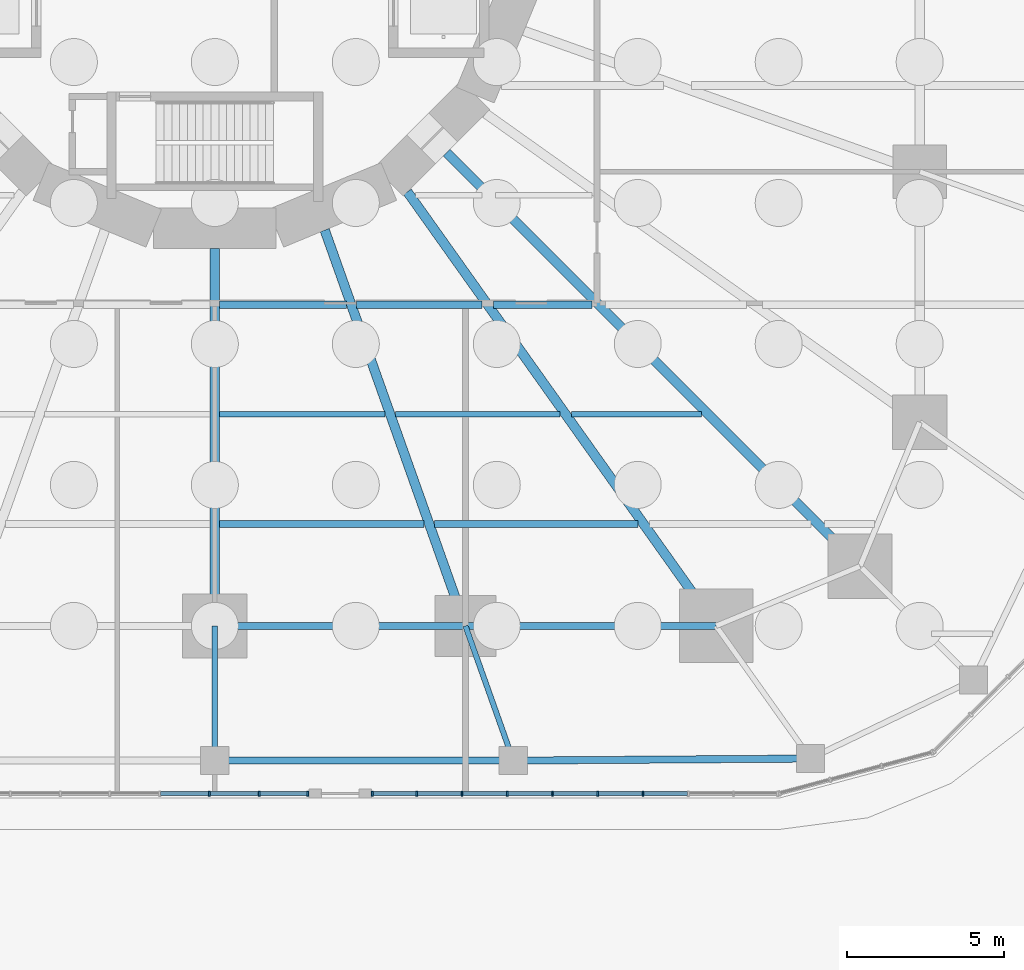
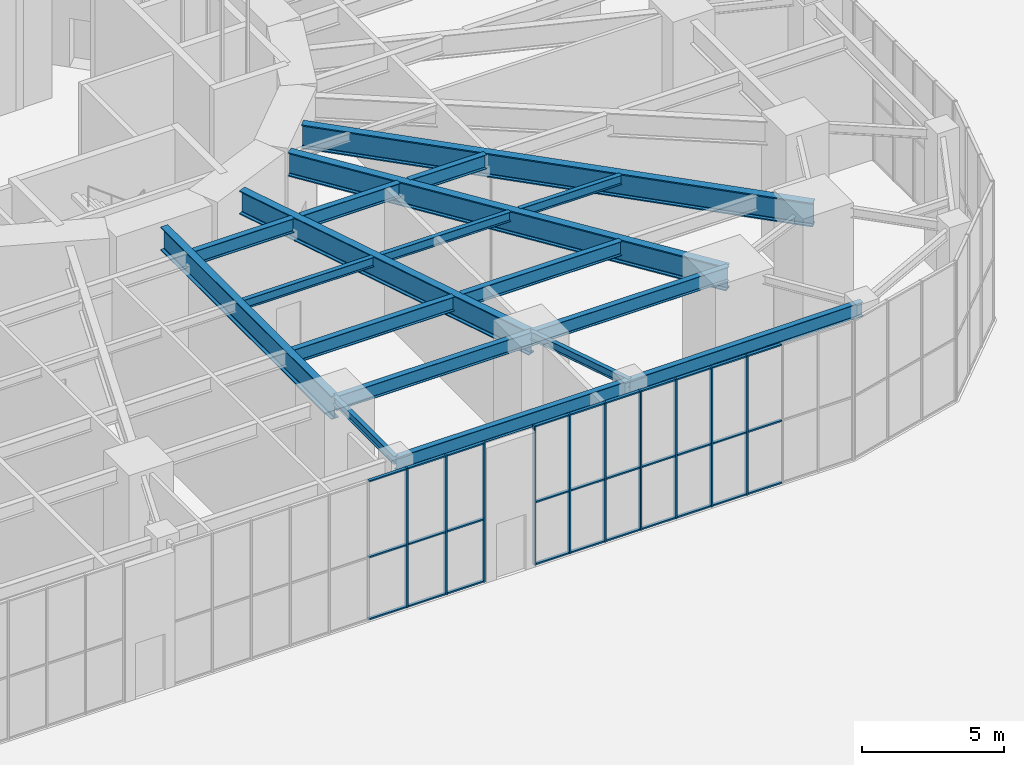
# One storey, part 8 of 43: 40 members, 18 beams, 2 elements without a shape of their own.
"""IFC4 building model written with IfcOpenShell, lengths in metres."""

from ifc_helpers import new_model, si_unit, direction, frame, origin, origin_2d, place, context, subcontext, project, spatial, rectangle, i_section, extrude, material, material_profile, profile_set, type_object, element, aggregate, save


model = new_model("IFC4")

# Units and contexts
model_context = context("Model", 3, precision=1e-05, world=origin(), true_north=direction((0.0, 1.0)))
body_context = subcontext(model_context, "Body", "Model", "MODEL_VIEW")
ifc_project = project(units=[si_unit("LENGTHUNIT", "METRE"), si_unit("AREAUNIT", "SQUARE_METRE"), si_unit("VOLUMEUNIT", "CUBIC_METRE"), si_unit("PLANEANGLEUNIT", "RADIAN"), si_unit("MASSUNIT", "GRAM", prefix="KILO")], contexts=[model_context])

# Site, building, storey
site_placement = place(None, origin())
site = spatial("IfcSite", under=ifc_project, at=site_placement, CompositionType="ELEMENT")
building_placement = place(site_placement, origin())
building = spatial("IfcBuilding", under=site, at=building_placement, Name="Nakasero Lantern House", CompositionType="ELEMENT")
storey_placement = place(building_placement, origin())
storey = spatial("IfcBuildingStorey", under=building, at=storey_placement, Name="L00", CompositionType="ELEMENT", Elevation=0.0)

# Beams
ifc_material_1 = material(Name="Steel S355", Category="steel")
ifc_material_profile_1 = material_profile(ifc_material_1, i_section(OverallWidth=0.177978515625, OverallDepth=0.406494140625, WebThickness=0.0078125, FlangeThickness=0.0126953125, FilletRadius=0.01025390625, at=origin_2d()), Name="UB 406x178x60")
ifc_profile_set_1 = profile_set([ifc_material_profile_1], Name="Steel S355")
beam_type_1 = type_object("IfcBeamType", Name="Infill beam UB 406x178x60", PredefinedType="JOIST", material=ifc_profile_set_1)
beam_1_placement = place(storey_placement, frame((0.14990234375, -15.75, 5.5966796875), z_axis=(1.0, 0.0, 0.0), x_axis=(0.0, 1.0, 0.0)))
element("IfcBeam", 1, at=beam_1_placement, inside=storey, type_object=beam_type_1, Name="Infill beam L01 04.4", PredefinedType="JOIST", context=body_context, shape_type="SweptSolid", body=[
    extrude(i_section(OverallWidth=0.177978515625, OverallDepth=0.406494140625, WebThickness=0.0078125, FlangeThickness=0.0126953125, FilletRadius=0.01025390625, at=origin_2d()), origin(), (0.0, 0.0, 1.0), 5.289794921875),
])
beam_2_placement = place(storey_placement, frame((5.76025390625, -15.75, 5.5966796875), z_axis=(1.0, 0.0, 0.0), x_axis=(0.0, 1.0, 0.0)))
element("IfcBeam", 2, at=beam_2_placement, inside=storey, type_object=beam_type_1, Name="Infill beam L01 04.5", PredefinedType="JOIST", context=body_context, shape_type="SweptSolid", body=[
    extrude(i_section(OverallWidth=0.177978515625, OverallDepth=0.406494140625, WebThickness=0.0078125, FlangeThickness=0.0126953125, FilletRadius=0.01025390625, at=origin_2d()), origin(), (0.0, 0.0, 1.0), 5.25244140625),
])
beam_3_placement = place(storey_placement, frame((11.387451171875, -15.75, 5.5966796875), z_axis=(1.0, 0.0, 0.0), x_axis=(0.0, 1.0, 0.0)))
element("IfcBeam", 3, at=beam_3_placement, inside=storey, type_object=beam_type_1, Name="Infill beam L01 04.6", PredefinedType="JOIST", context=body_context, shape_type="SweptSolid", body=[
    extrude(i_section(OverallWidth=0.177978515625, OverallDepth=0.406494140625, WebThickness=0.0078125, FlangeThickness=0.0126953125, FilletRadius=0.01025390625, at=origin_2d()), origin(), (0.0, 0.0, 1.0), 4.146484375),
])
ifc_material_2 = material(Name="Steel S355", Category="steel")
ifc_material_profile_2 = material_profile(ifc_material_2, i_section(OverallWidth=0.22900390625, OverallDepth=0.6123046875, WebThickness=0.011962890625, FlangeThickness=0.01953125, FilletRadius=0.0126953125, at=origin_2d()), Name="UB 610x229x125")
ifc_profile_set_2 = profile_set([ifc_material_profile_2], Name="Steel S355")
beam_type_2 = type_object("IfcBeamType", Name="Infill beam UB 610x229x125", PredefinedType="JOIST", material=ifc_profile_set_2)
beam_4_placement = place(storey_placement, frame((0.14990234375, -19.25, 5.493896484375), z_axis=(1.0, 0.0, 0.0), x_axis=(0.0, 1.0, 0.0)))
element("IfcBeam", 4, at=beam_4_placement, inside=storey, type_object=beam_type_2, Name="Infill beam L01 03.5", PredefinedType="JOIST", context=body_context, shape_type="SweptSolid", body=[
    extrude(i_section(OverallWidth=0.22900390625, OverallDepth=0.6123046875, WebThickness=0.011962890625, FlangeThickness=0.01953125, FilletRadius=0.0126953125, at=origin_2d()), origin(), (0.0, 0.0, 1.0), 6.5341796875),
])
beam_5_placement = place(storey_placement, frame((7.004638671875, -19.25, 5.493896484375), z_axis=(1.0, 0.0, 0.0), x_axis=(0.0, 1.0, 0.0)))
element("IfcBeam", 5, at=beam_5_placement, inside=storey, type_object=beam_type_2, Name="Infill beam L01 03.6", PredefinedType="JOIST", context=body_context, shape_type="SweptSolid", body=[
    extrude(i_section(OverallWidth=0.22900390625, OverallDepth=0.6123046875, WebThickness=0.011962890625, FlangeThickness=0.01953125, FilletRadius=0.0126953125, at=origin_2d()), origin(), (0.0, 0.0, 1.0), 6.496826171875),
])
beam_6_placement = place(storey_placement, frame((0.14990234375, -12.25, 5.493896484375), z_axis=(1.0, 0.0, 0.0), x_axis=(0.0, 1.0, 0.0)))
element("IfcBeam", 6, at=beam_6_placement, inside=storey, type_object=beam_type_2, Name="Infill beam L01 05.7", PredefinedType="JOIST", context=body_context, shape_type="SweptSolid", body=[
    extrude(i_section(OverallWidth=0.22900390625, OverallDepth=0.6123046875, WebThickness=0.011962890625, FlangeThickness=0.01953125, FilletRadius=0.0126953125, at=origin_2d()), origin(), (0.0, 0.0, 1.0), 4.04541015625),
])
beam_7_placement = place(storey_placement, frame((4.515869140625, -12.25, 5.493896484375), z_axis=(1.0, 0.0, 0.0), x_axis=(0.0, 1.0, 0.0)))
element("IfcBeam", 7, at=beam_7_placement, inside=storey, type_object=beam_type_2, Name="Infill beam L01 05.8", PredefinedType="JOIST", context=body_context, shape_type="SweptSolid", body=[
    extrude(i_section(OverallWidth=0.22900390625, OverallDepth=0.6123046875, WebThickness=0.011962890625, FlangeThickness=0.01953125, FilletRadius=0.0126953125, at=origin_2d()), origin(), (0.0, 0.0, 1.0), 4.0078125),
])
beam_8_placement = place(storey_placement, frame((8.8984375, -12.25, 5.493896484375), z_axis=(1.0, 0.0, 0.0), x_axis=(0.0, 1.0, 0.0)))
element("IfcBeam", 8, at=beam_8_placement, inside=storey, type_object=beam_type_2, Name="Infill beam L01 05.9", PredefinedType="JOIST", context=body_context, shape_type="SweptSolid", body=[
    extrude(i_section(OverallWidth=0.22900390625, OverallDepth=0.6123046875, WebThickness=0.011962890625, FlangeThickness=0.01953125, FilletRadius=0.0126953125, at=origin_2d()), origin(), (0.0, 0.0, 1.0), 3.135498046875),
])

# Curtain wall, members
ifc_material_3 = material(Name="Aluminium 6063-T6 and glass", Category="aluminium")
curtain_wall_type = type_object("IfcCurtainWallType", Name="Podium shopfront glazing CW-1", PredefinedType="USERDEFINED", material=ifc_material_3)
curtain_wall_1_placement = place(storey_placement, origin())
curtain_wall_1 = element("IfcCurtainWall", 9, at=curtain_wall_1_placement, inside=storey, type_object=curtain_wall_type, Name="Curtain wall CW-1 L00", ObjectType="STICK CURTAIN WALL", PredefinedType="USERDEFINED")
ifc_material_4 = material(Name="Aluminium 6063-T6", Category="aluminium")
ifc_material_profile_3 = material_profile(ifc_material_4, rectangle(XDim=0.06005859375, YDim=0.159912109375, at=origin_2d()), Name="CW-1 mullion 60x160")
ifc_profile_set_3 = profile_set([ifc_material_profile_3], Name="Aluminium 6063-T6")
member_type_1 = type_object("IfcMemberType", Name="Mullion CW-1", PredefinedType="MULLION", material=ifc_profile_set_3)
member_1_placement = place(storey_placement, frame((-0.175048828125, -27.85009765625, 0.0), z_axis=(0.0, 0.0, 1.0), x_axis=(1.0, 0.0, 0.0)))
member_1 = element("IfcMember", 10, at=member_1_placement, type_object=member_type_1, Name="CW-1 mullion 7", PredefinedType="MULLION", context=body_context, shape_type="SweptSolid", body=[
    extrude(rectangle(XDim=0.06005859375, YDim=0.159912109375, at=origin_2d()), origin(), (0.0, 0.0, 1.0), 6.0),
])
member_2_placement = place(storey_placement, frame((1.41259765625, -27.85009765625, 0.0), z_axis=(0.0, 0.0, 1.0), x_axis=(1.0, 0.0, 0.0)))
member_2 = element("IfcMember", 11, at=member_2_placement, type_object=member_type_1, Name="CW-1 mullion 8", PredefinedType="MULLION", context=body_context, shape_type="SweptSolid", body=[
    extrude(rectangle(XDim=0.06005859375, YDim=0.159912109375, at=origin_2d()), origin(), (0.0, 0.0, 1.0), 6.0),
])
member_3_placement = place(storey_placement, frame((2.969970703125, -27.85009765625, 0.0), z_axis=(0.0, 0.0, 1.0), x_axis=(1.0, 0.0, 0.0)))
member_3 = element("IfcMember", 12, at=member_3_placement, type_object=member_type_1, Name="CW-1 mullion 9", PredefinedType="MULLION", context=body_context, shape_type="SweptSolid", body=[
    extrude(rectangle(XDim=0.06005859375, YDim=0.159912109375, at=origin_2d()), origin(), (0.0, 0.0, 1.0), 6.0),
])

curtain_wall_2_placement = place(storey_placement, origin())
curtain_wall_2 = element("IfcCurtainWall", 13, at=curtain_wall_2_placement, inside=storey, type_object=curtain_wall_type, Name="Curtain wall CW-1 L00", ObjectType="STICK CURTAIN WALL", PredefinedType="USERDEFINED")
member_4_placement = place(storey_placement, frame((5.030029296875, -27.85009765625, 0.0), z_axis=(0.0, 0.0, 1.0), x_axis=(1.0, 0.0, 0.0)))
member_4 = element("IfcMember", 14, at=member_4_placement, type_object=member_type_1, Name="CW-1 mullion 1", PredefinedType="MULLION", context=body_context, shape_type="SweptSolid", body=[
    extrude(rectangle(XDim=0.06005859375, YDim=0.159912109375, at=origin_2d()), origin(), (0.0, 0.0, 1.0), 6.0),
])
member_5_placement = place(storey_placement, frame((6.4443359375, -27.85009765625, 0.0), z_axis=(0.0, 0.0, 1.0), x_axis=(1.0, 0.0, 0.0)))
member_5 = element("IfcMember", 15, at=member_5_placement, type_object=member_type_1, Name="CW-1 mullion 2", PredefinedType="MULLION", context=body_context, shape_type="SweptSolid", body=[
    extrude(rectangle(XDim=0.06005859375, YDim=0.159912109375, at=origin_2d()), origin(), (0.0, 0.0, 1.0), 6.0),
])
member_6_placement = place(storey_placement, frame((7.888916015625, -27.85009765625, 0.0), z_axis=(0.0, 0.0, 1.0), x_axis=(1.0, 0.0, 0.0)))
member_6 = element("IfcMember", 16, at=member_6_placement, type_object=member_type_1, Name="CW-1 mullion 3", PredefinedType="MULLION", context=body_context, shape_type="SweptSolid", body=[
    extrude(rectangle(XDim=0.06005859375, YDim=0.159912109375, at=origin_2d()), origin(), (0.0, 0.0, 1.0), 6.0),
])
member_7_placement = place(storey_placement, frame((9.333251953125, -27.85009765625, 0.0), z_axis=(0.0, 0.0, 1.0), x_axis=(1.0, 0.0, 0.0)))
member_7 = element("IfcMember", 17, at=member_7_placement, type_object=member_type_1, Name="CW-1 mullion 4", PredefinedType="MULLION", context=body_context, shape_type="SweptSolid", body=[
    extrude(rectangle(XDim=0.06005859375, YDim=0.159912109375, at=origin_2d()), origin(), (0.0, 0.0, 1.0), 6.0),
])
member_8_placement = place(storey_placement, frame((10.77783203125, -27.85009765625, 0.0), z_axis=(0.0, 0.0, 1.0), x_axis=(1.0, 0.0, 0.0)))
member_8 = element("IfcMember", 18, at=member_8_placement, type_object=member_type_1, Name="CW-1 mullion 5", PredefinedType="MULLION", context=body_context, shape_type="SweptSolid", body=[
    extrude(rectangle(XDim=0.06005859375, YDim=0.159912109375, at=origin_2d()), origin(), (0.0, 0.0, 1.0), 6.0),
])
member_9_placement = place(storey_placement, frame((12.22216796875, -27.85009765625, 0.0), z_axis=(0.0, 0.0, 1.0), x_axis=(1.0, 0.0, 0.0)))
member_9 = element("IfcMember", 19, at=member_9_placement, type_object=member_type_1, Name="CW-1 mullion 6", PredefinedType="MULLION", context=body_context, shape_type="SweptSolid", body=[
    extrude(rectangle(XDim=0.06005859375, YDim=0.159912109375, at=origin_2d()), origin(), (0.0, 0.0, 1.0), 6.0),
])
member_10_placement = place(storey_placement, frame((13.666748046875, -27.85009765625, 0.0), z_axis=(0.0, 0.0, 1.0), x_axis=(1.0, 0.0, 0.0)))
member_10 = element("IfcMember", 20, at=member_10_placement, type_object=member_type_1, Name="CW-1 mullion 7", PredefinedType="MULLION", context=body_context, shape_type="SweptSolid", body=[
    extrude(rectangle(XDim=0.06005859375, YDim=0.159912109375, at=origin_2d()), origin(), (0.0, 0.0, 1.0), 6.0),
])

# Beams
ifc_material_5 = material(Name="Steel S355", Category="steel")
ifc_material_profile_4 = material_profile(ifc_material_5, i_section(OverallWidth=0.300048828125, OverallDepth=1.0, WebThickness=0.01904296875, FlangeThickness=0.035888671875, FilletRadius=0.030029296875, at=origin_2d()), Name="UB 1016x305x314")
ifc_profile_set_4 = profile_set([ifc_material_profile_4], Name="Steel S355")
beam_type_3 = type_object("IfcBeamType", Name="Primary beam UB 1016x305x314, span 12 to 15 m", PredefinedType="BEAM", material=ifc_profile_set_4)
beam_9_placement = place(storey_placement, frame((0.0, -22.5, 5.300048828125), z_axis=(0.0, 1.0, 0.0), x_axis=(-1.0, 0.0, 0.0)))
element("IfcBeam", 21, at=beam_9_placement, inside=storey, type_object=beam_type_3, Name="Primary beam L01 B1-C21", PredefinedType="BEAM", context=body_context, shape_type="SweptSolid", body=[
    extrude(i_section(OverallWidth=0.300048828125, OverallDepth=1.0, WebThickness=0.01904296875, FlangeThickness=0.035888671875, FilletRadius=0.030029296875, at=origin_2d()), origin(), (0.0, 0.0, 1.0), 12.042236328125),
])
ifc_material_6 = material(Name="Steel S355", Category="steel")
ifc_material_profile_5 = material_profile(ifc_material_6, i_section(OverallWidth=0.302001953125, OverallDepth=1.008056640625, WebThickness=0.02099609375, FlangeThickness=0.0400390625, FilletRadius=0.030029296875, at=origin_2d()), Name="UB 1016x305x349")
ifc_profile_set_5 = profile_set([ifc_material_profile_5], Name="Steel S355")
beam_type_4 = type_object("IfcBeamType", Name="Primary beam UB 1016x305x349, span 12 to 15 m", PredefinedType="BEAM", material=ifc_profile_set_5)
beam_10_placement = place(storey_placement, frame((8.0, -22.5, 5.2958984375), z_axis=(-0.335010745293, 0.942214307118, 0.0), x_axis=(-0.942214307118, -0.335010745293, 0.0)))
element("IfcBeam", 22, at=beam_10_placement, inside=storey, type_object=beam_type_4, Name="Primary beam L01 B1-C22", PredefinedType="BEAM", context=body_context, shape_type="SweptSolid", body=[
    extrude(i_section(OverallWidth=0.302001953125, OverallDepth=1.008056640625, WebThickness=0.02099609375, FlangeThickness=0.0400390625, FilletRadius=0.030029296875, at=origin_2d()), origin(), (0.0, 0.0, 1.0), 13.408447265625),
])
ifc_material_7 = material(Name="Steel S355", Category="steel")
ifc_material_profile_6 = material_profile(ifc_material_7, i_section(OverallWidth=0.305419921875, OverallDepth=1.026123046875, WebThickness=0.02685546875, FlangeThickness=0.049072265625, FilletRadius=0.030029296875, at=origin_2d()), Name="UB 1016x305x437")
ifc_profile_set_6 = profile_set([ifc_material_profile_6], Name="Steel S355")
beam_type_5 = type_object("IfcBeamType", Name="Primary beam UB 1016x305x437, span over 15 m", PredefinedType="BEAM", material=ifc_profile_set_6)
beam_11_placement = place(storey_placement, frame((16.0, -22.5, 5.286865234375), z_axis=(-0.579528236629, 0.814952159915, 0.0), x_axis=(-0.814952159915, -0.579528236629, 0.0)))
element("IfcBeam", 23, at=beam_11_placement, inside=storey, type_object=beam_type_5, Name="Primary beam L01 B1-C23", PredefinedType="BEAM", context=body_context, shape_type="SweptSolid", body=[
    extrude(i_section(OverallWidth=0.305419921875, OverallDepth=1.026123046875, WebThickness=0.02685546875, FlangeThickness=0.049072265625, FilletRadius=0.030029296875, at=origin_2d()), origin(), (0.0, 0.0, 1.0), 17.003173828125),
])
beam_12_placement = place(storey_placement, frame((20.59619140625, -20.59619140625, 5.286865234375), z_axis=(-0.707106781187, 0.707106781187, 0.0), x_axis=(-0.707106781187, -0.707106781187, 0.0)))
element("IfcBeam", 24, at=beam_12_placement, inside=storey, type_object=beam_type_5, Name="Primary beam L01 B1-C24", PredefinedType="BEAM", context=body_context, shape_type="SweptSolid", body=[
    extrude(i_section(OverallWidth=0.305419921875, OverallDepth=1.026123046875, WebThickness=0.02685546875, FlangeThickness=0.049072265625, FilletRadius=0.030029296875, at=origin_2d()), origin(), (0.0, 0.0, 1.0), 18.669677734375),
])
ifc_material_8 = material(Name="Steel S355", Category="steel")
ifc_material_profile_7 = material_profile(ifc_material_8, i_section(OverallWidth=0.17138671875, OverallDepth=0.35498046875, WebThickness=0.00732421875, FlangeThickness=0.011474609375, FilletRadius=0.01025390625, at=origin_2d()), Name="UB 356x171x51")
ifc_profile_set_7 = profile_set([ifc_material_profile_7], Name="Steel S355")
beam_type_6 = type_object("IfcBeamType", Name="Primary beam UB 356x171x51, span to 6 m", PredefinedType="BEAM", material=ifc_profile_set_7)
beam_13_placement = place(storey_placement, frame((0.0, -26.800048828125, 5.62255859375), z_axis=(0.0, 1.0, 0.0), x_axis=(-1.0, 0.0, 0.0)))
element("IfcBeam", 25, at=beam_13_placement, inside=storey, type_object=beam_type_6, Name="Primary beam L01 POD-C21", PredefinedType="BEAM", context=body_context, shape_type="SweptSolid", body=[
    extrude(i_section(OverallWidth=0.17138671875, OverallDepth=0.35498046875, WebThickness=0.00732421875, FlangeThickness=0.011474609375, FilletRadius=0.01025390625, at=origin_2d()), origin(), (0.0, 0.0, 1.0), 4.300048828125),
])
beam_14_placement = place(storey_placement, frame((9.52880859375, -26.800048828125, 5.62255859375), z_axis=(-0.334990670833, 0.942221444489, 0.0), x_axis=(-0.942221444489, -0.334990670833, 0.0)))
element("IfcBeam", 26, at=beam_14_placement, inside=storey, type_object=beam_type_6, Name="Primary beam L01 POD-C22", PredefinedType="BEAM", context=body_context, shape_type="SweptSolid", body=[
    extrude(i_section(OverallWidth=0.17138671875, OverallDepth=0.35498046875, WebThickness=0.00732421875, FlangeThickness=0.011474609375, FilletRadius=0.01025390625, at=origin_2d()), origin(), (0.0, 0.0, 1.0), 4.563720703125),
])
ifc_material_9 = material(Name="Steel S355", Category="steel")
ifc_material_profile_8 = material_profile(ifc_material_9, i_section(OverallWidth=0.2275390625, OverallDepth=0.6025390625, WebThickness=0.010498046875, FlangeThickness=0.014892578125, FilletRadius=0.0126953125, at=origin_2d()), Name="UB 610x229x101")
ifc_profile_set_8 = profile_set([ifc_material_profile_8], Name="Steel S355")
beam_type_7 = type_object("IfcBeamType", Name="Ring beam UB 610x229x101", PredefinedType="BEAM", material=ifc_profile_set_8)
for number, where, z_axis, x_axis, name in (
    (27, (0.0, -22.5, 5.498779296875), (1.0, 0.0, 0.0), (0.0, 1.0, 0.0), "Ring beam L01 B1-C21"),
    (28, (8.0, -22.5, 5.498779296875), (1.0, 0.0, 0.0), (0.0, 1.0, 0.0), "Ring beam L01 B1-C22"),
):
    element("IfcBeam", number, at=place(storey_placement, frame(where, z_axis=z_axis, x_axis=x_axis)), inside=storey, type_object=beam_type_7, Name=name, PredefinedType="BEAM", context=body_context, shape_type="SweptSolid", body=[
        extrude(i_section(OverallWidth=0.2275390625, OverallDepth=0.6025390625, WebThickness=0.010498046875, FlangeThickness=0.014892578125, FilletRadius=0.0126953125, at=origin_2d()), origin(), (0.0, 0.0, 1.0), 8.0),
    ])
ifc_material_10 = material(Name="Steel S355", Category="steel")
ifc_material_profile_9 = material_profile(ifc_material_10, i_section(OverallWidth=0.22900390625, OverallDepth=0.6123046875, WebThickness=0.011962890625, FlangeThickness=0.01953125, FilletRadius=0.0126953125, at=origin_2d()), Name="UB 610x229x125")
ifc_profile_set_9 = profile_set([ifc_material_profile_9], Name="Steel S355")
beam_type_8 = type_object("IfcBeamType", Name="Ring beam UB 610x229x125", PredefinedType="BEAM", material=ifc_profile_set_9)
beam_15_placement = place(storey_placement, frame((0.0, -26.800048828125, 5.493896484375), z_axis=(1.0, 0.0, 0.0), x_axis=(0.0, 1.0, 0.0)))
element("IfcBeam", 29, at=beam_15_placement, inside=storey, type_object=beam_type_8, Name="Ring beam L01 POD-C21", PredefinedType="BEAM", context=body_context, shape_type="SweptSolid", body=[
    extrude(i_section(OverallWidth=0.22900390625, OverallDepth=0.6123046875, WebThickness=0.011962890625, FlangeThickness=0.01953125, FilletRadius=0.0126953125, at=origin_2d()), origin(), (0.0, 0.0, 1.0), 9.52880859375),
])
beam_16_placement = place(storey_placement, frame((9.52880859375, -26.800048828125, 5.493896484375), z_axis=(0.999975476745, 0.007003278482, 0.0), x_axis=(-0.007003278482, 0.999975476745, 0.0)))
element("IfcBeam", 30, at=beam_16_placement, inside=storey, type_object=beam_type_8, Name="Ring beam L01 POD-C22", PredefinedType="BEAM", context=body_context, shape_type="SweptSolid", body=[
    extrude(i_section(OverallWidth=0.22900390625, OverallDepth=0.6123046875, WebThickness=0.011962890625, FlangeThickness=0.01953125, FilletRadius=0.0126953125, at=origin_2d()), origin(), (0.0, 0.0, 1.0), 9.482177734375),
])

# Member
ifc_material_11 = material(Name="Aluminium 6063-T6", Category="aluminium")
ifc_material_profile_10 = material_profile(ifc_material_11, rectangle(XDim=0.06005859375, YDim=0.1201171875, at=origin_2d()), Name="CW-1 transom 60x120")
ifc_profile_set_10 = profile_set([ifc_material_profile_10], Name="Aluminium 6063-T6")
member_type_2 = type_object("IfcMemberType", Name="Transom CW-1", PredefinedType="USERDEFINED", material=ifc_profile_set_10)
member_11_placement = place(storey_placement, frame((-1.732421875, -27.85009765625, 0.030029296875), z_axis=(1.0, 0.0, 0.0), x_axis=(0.0, 0.0, 1.0)))
member_11 = element("IfcMember", 31, at=member_11_placement, type_object=member_type_2, Name="CW-1 transom 6.1", ObjectType="TRANSOM", PredefinedType="USERDEFINED", context=body_context, shape_type="SweptSolid", body=[
    extrude(rectangle(XDim=0.06005859375, YDim=0.1201171875, at=origin_2d()), origin(), (0.0, 0.0, 1.0), 1.52734375),
])

member_12_placement = place(storey_placement, frame((-1.732421875, -27.85009765625, 2.699951171875), z_axis=(1.0, 0.0, 0.0), x_axis=(0.0, 0.0, 1.0)))
member_12 = element("IfcMember", 32, at=member_12_placement, type_object=member_type_2, Name="CW-1 transom 6.2", ObjectType="TRANSOM", PredefinedType="USERDEFINED", context=body_context, shape_type="SweptSolid", body=[
    extrude(rectangle(XDim=0.06005859375, YDim=0.1201171875, at=origin_2d()), origin(), (0.0, 0.0, 1.0), 1.52734375),
])

member_13_placement = place(storey_placement, frame((-1.732421875, -27.85009765625, 5.969970703125), z_axis=(1.0, 0.0, 0.0), x_axis=(0.0, 0.0, 1.0)))
member_13 = element("IfcMember", 33, at=member_13_placement, type_object=member_type_2, Name="CW-1 transom 6.3", ObjectType="TRANSOM", PredefinedType="USERDEFINED", context=body_context, shape_type="SweptSolid", body=[
    extrude(rectangle(XDim=0.06005859375, YDim=0.1201171875, at=origin_2d()), origin(), (0.0, 0.0, 1.0), 1.52734375),
])

member_14_placement = place(storey_placement, frame((-0.14501953125, -27.85009765625, 0.030029296875), z_axis=(1.0, 0.0, 0.0), x_axis=(0.0, 0.0, 1.0)))
member_14 = element("IfcMember", 34, at=member_14_placement, type_object=member_type_2, Name="CW-1 transom 7.1", ObjectType="TRANSOM", PredefinedType="USERDEFINED", context=body_context, shape_type="SweptSolid", body=[
    extrude(rectangle(XDim=0.06005859375, YDim=0.1201171875, at=origin_2d()), origin(), (0.0, 0.0, 1.0), 1.527587890625),
])

member_15_placement = place(storey_placement, frame((-0.14501953125, -27.85009765625, 2.699951171875), z_axis=(1.0, 0.0, 0.0), x_axis=(0.0, 0.0, 1.0)))
member_15 = element("IfcMember", 35, at=member_15_placement, type_object=member_type_2, Name="CW-1 transom 7.2", ObjectType="TRANSOM", PredefinedType="USERDEFINED", context=body_context, shape_type="SweptSolid", body=[
    extrude(rectangle(XDim=0.06005859375, YDim=0.1201171875, at=origin_2d()), origin(), (0.0, 0.0, 1.0), 1.527587890625),
])

member_16_placement = place(storey_placement, frame((-0.14501953125, -27.85009765625, 5.969970703125), z_axis=(1.0, 0.0, 0.0), x_axis=(0.0, 0.0, 1.0)))
member_16 = element("IfcMember", 36, at=member_16_placement, type_object=member_type_2, Name="CW-1 transom 7.3", ObjectType="TRANSOM", PredefinedType="USERDEFINED", context=body_context, shape_type="SweptSolid", body=[
    extrude(rectangle(XDim=0.06005859375, YDim=0.1201171875, at=origin_2d()), origin(), (0.0, 0.0, 1.0), 1.527587890625),
])

member_17_placement = place(storey_placement, frame((1.4423828125, -27.85009765625, 0.030029296875), z_axis=(1.0, 0.0, 0.0), x_axis=(0.0, 0.0, 1.0)))
member_17 = element("IfcMember", 37, at=member_17_placement, type_object=member_type_2, Name="CW-1 transom 8.1", ObjectType="TRANSOM", PredefinedType="USERDEFINED", context=body_context, shape_type="SweptSolid", body=[
    extrude(rectangle(XDim=0.06005859375, YDim=0.1201171875, at=origin_2d()), origin(), (0.0, 0.0, 1.0), 1.49755859375),
])

member_18_placement = place(storey_placement, frame((1.4423828125, -27.85009765625, 2.699951171875), z_axis=(1.0, 0.0, 0.0), x_axis=(0.0, 0.0, 1.0)))
member_18 = element("IfcMember", 38, at=member_18_placement, type_object=member_type_2, Name="CW-1 transom 8.2", ObjectType="TRANSOM", PredefinedType="USERDEFINED", context=body_context, shape_type="SweptSolid", body=[
    extrude(rectangle(XDim=0.06005859375, YDim=0.1201171875, at=origin_2d()), origin(), (0.0, 0.0, 1.0), 1.49755859375),
])

member_19_placement = place(storey_placement, frame((1.4423828125, -27.85009765625, 5.969970703125), z_axis=(1.0, 0.0, 0.0), x_axis=(0.0, 0.0, 1.0)))
member_19 = element("IfcMember", 39, at=member_19_placement, type_object=member_type_2, Name="CW-1 transom 8.3", ObjectType="TRANSOM", PredefinedType="USERDEFINED", context=body_context, shape_type="SweptSolid", body=[
    extrude(rectangle(XDim=0.06005859375, YDim=0.1201171875, at=origin_2d()), origin(), (0.0, 0.0, 1.0), 1.49755859375),
])

aggregate(curtain_wall_1, [member_1, member_2, member_3, member_11, member_12, member_13, member_14, member_15, member_16, member_17, member_18, member_19])

member_20_placement = place(storey_placement, frame((5.06005859375, -27.85009765625, 0.030029296875), z_axis=(1.0, 0.0, 0.0), x_axis=(0.0, 0.0, 1.0)))
member_20 = element("IfcMember", 40, at=member_20_placement, type_object=member_type_2, Name="CW-1 transom 1.1", ObjectType="TRANSOM", PredefinedType="USERDEFINED", context=body_context, shape_type="SweptSolid", body=[
    extrude(rectangle(XDim=0.06005859375, YDim=0.1201171875, at=origin_2d()), origin(), (0.0, 0.0, 1.0), 1.3544921875),
])

member_21_placement = place(storey_placement, frame((5.06005859375, -27.85009765625, 2.699951171875), z_axis=(1.0, 0.0, 0.0), x_axis=(0.0, 0.0, 1.0)))
member_21 = element("IfcMember", 41, at=member_21_placement, type_object=member_type_2, Name="CW-1 transom 1.2", ObjectType="TRANSOM", PredefinedType="USERDEFINED", context=body_context, shape_type="SweptSolid", body=[
    extrude(rectangle(XDim=0.06005859375, YDim=0.1201171875, at=origin_2d()), origin(), (0.0, 0.0, 1.0), 1.3544921875),
])

member_22_placement = place(storey_placement, frame((5.06005859375, -27.85009765625, 5.969970703125), z_axis=(1.0, 0.0, 0.0), x_axis=(0.0, 0.0, 1.0)))
member_22 = element("IfcMember", 42, at=member_22_placement, type_object=member_type_2, Name="CW-1 transom 1.3", ObjectType="TRANSOM", PredefinedType="USERDEFINED", context=body_context, shape_type="SweptSolid", body=[
    extrude(rectangle(XDim=0.06005859375, YDim=0.1201171875, at=origin_2d()), origin(), (0.0, 0.0, 1.0), 1.3544921875),
])

member_23_placement = place(storey_placement, frame((6.474365234375, -27.85009765625, 0.030029296875), z_axis=(1.0, 0.0, 0.0), x_axis=(0.0, 0.0, 1.0)))
member_23 = element("IfcMember", 43, at=member_23_placement, type_object=member_type_2, Name="CW-1 transom 2.1", ObjectType="TRANSOM", PredefinedType="USERDEFINED", context=body_context, shape_type="SweptSolid", body=[
    extrude(rectangle(XDim=0.06005859375, YDim=0.1201171875, at=origin_2d()), origin(), (0.0, 0.0, 1.0), 1.384521484375),
])

member_24_placement = place(storey_placement, frame((6.474365234375, -27.85009765625, 2.699951171875), z_axis=(1.0, 0.0, 0.0), x_axis=(0.0, 0.0, 1.0)))
member_24 = element("IfcMember", 44, at=member_24_placement, type_object=member_type_2, Name="CW-1 transom 2.2", ObjectType="TRANSOM", PredefinedType="USERDEFINED", context=body_context, shape_type="SweptSolid", body=[
    extrude(rectangle(XDim=0.06005859375, YDim=0.1201171875, at=origin_2d()), origin(), (0.0, 0.0, 1.0), 1.384521484375),
])

member_25_placement = place(storey_placement, frame((6.474365234375, -27.85009765625, 5.969970703125), z_axis=(1.0, 0.0, 0.0), x_axis=(0.0, 0.0, 1.0)))
member_25 = element("IfcMember", 45, at=member_25_placement, type_object=member_type_2, Name="CW-1 transom 2.3", ObjectType="TRANSOM", PredefinedType="USERDEFINED", context=body_context, shape_type="SweptSolid", body=[
    extrude(rectangle(XDim=0.06005859375, YDim=0.1201171875, at=origin_2d()), origin(), (0.0, 0.0, 1.0), 1.384521484375),
])

member_26_placement = place(storey_placement, frame((7.9189453125, -27.85009765625, 0.030029296875), z_axis=(1.0, 0.0, 0.0), x_axis=(0.0, 0.0, 1.0)))
member_26 = element("IfcMember", 46, at=member_26_placement, type_object=member_type_2, Name="CW-1 transom 3.1", ObjectType="TRANSOM", PredefinedType="USERDEFINED", context=body_context, shape_type="SweptSolid", body=[
    extrude(rectangle(XDim=0.06005859375, YDim=0.1201171875, at=origin_2d()), origin(), (0.0, 0.0, 1.0), 1.38427734375),
])

member_27_placement = place(storey_placement, frame((7.9189453125, -27.85009765625, 2.699951171875), z_axis=(1.0, 0.0, 0.0), x_axis=(0.0, 0.0, 1.0)))
member_27 = element("IfcMember", 47, at=member_27_placement, type_object=member_type_2, Name="CW-1 transom 3.2", ObjectType="TRANSOM", PredefinedType="USERDEFINED", context=body_context, shape_type="SweptSolid", body=[
    extrude(rectangle(XDim=0.06005859375, YDim=0.1201171875, at=origin_2d()), origin(), (0.0, 0.0, 1.0), 1.38427734375),
])

member_28_placement = place(storey_placement, frame((7.9189453125, -27.85009765625, 5.969970703125), z_axis=(1.0, 0.0, 0.0), x_axis=(0.0, 0.0, 1.0)))
member_28 = element("IfcMember", 48, at=member_28_placement, type_object=member_type_2, Name="CW-1 transom 3.3", ObjectType="TRANSOM", PredefinedType="USERDEFINED", context=body_context, shape_type="SweptSolid", body=[
    extrude(rectangle(XDim=0.06005859375, YDim=0.1201171875, at=origin_2d()), origin(), (0.0, 0.0, 1.0), 1.38427734375),
])

member_29_placement = place(storey_placement, frame((9.36328125, -27.85009765625, 0.030029296875), z_axis=(1.0, 0.0, 0.0), x_axis=(0.0, 0.0, 1.0)))
member_29 = element("IfcMember", 49, at=member_29_placement, type_object=member_type_2, Name="CW-1 transom 4.1", ObjectType="TRANSOM", PredefinedType="USERDEFINED", context=body_context, shape_type="SweptSolid", body=[
    extrude(rectangle(XDim=0.06005859375, YDim=0.1201171875, at=origin_2d()), origin(), (0.0, 0.0, 1.0), 1.384521484375),
])

member_30_placement = place(storey_placement, frame((9.36328125, -27.85009765625, 2.699951171875), z_axis=(1.0, 0.0, 0.0), x_axis=(0.0, 0.0, 1.0)))
member_30 = element("IfcMember", 50, at=member_30_placement, type_object=member_type_2, Name="CW-1 transom 4.2", ObjectType="TRANSOM", PredefinedType="USERDEFINED", context=body_context, shape_type="SweptSolid", body=[
    extrude(rectangle(XDim=0.06005859375, YDim=0.1201171875, at=origin_2d()), origin(), (0.0, 0.0, 1.0), 1.384521484375),
])

member_31_placement = place(storey_placement, frame((9.36328125, -27.85009765625, 5.969970703125), z_axis=(1.0, 0.0, 0.0), x_axis=(0.0, 0.0, 1.0)))
member_31 = element("IfcMember", 51, at=member_31_placement, type_object=member_type_2, Name="CW-1 transom 4.3", ObjectType="TRANSOM", PredefinedType="USERDEFINED", context=body_context, shape_type="SweptSolid", body=[
    extrude(rectangle(XDim=0.06005859375, YDim=0.1201171875, at=origin_2d()), origin(), (0.0, 0.0, 1.0), 1.384521484375),
])

member_32_placement = place(storey_placement, frame((10.807861328125, -27.85009765625, 0.030029296875), z_axis=(1.0, 0.0, 0.0), x_axis=(0.0, 0.0, 1.0)))
member_32 = element("IfcMember", 52, at=member_32_placement, type_object=member_type_2, Name="CW-1 transom 5.1", ObjectType="TRANSOM", PredefinedType="USERDEFINED", context=body_context, shape_type="SweptSolid", body=[
    extrude(rectangle(XDim=0.06005859375, YDim=0.1201171875, at=origin_2d()), origin(), (0.0, 0.0, 1.0), 1.38427734375),
])

member_33_placement = place(storey_placement, frame((10.807861328125, -27.85009765625, 2.699951171875), z_axis=(1.0, 0.0, 0.0), x_axis=(0.0, 0.0, 1.0)))
member_33 = element("IfcMember", 53, at=member_33_placement, type_object=member_type_2, Name="CW-1 transom 5.2", ObjectType="TRANSOM", PredefinedType="USERDEFINED", context=body_context, shape_type="SweptSolid", body=[
    extrude(rectangle(XDim=0.06005859375, YDim=0.1201171875, at=origin_2d()), origin(), (0.0, 0.0, 1.0), 1.38427734375),
])

member_34_placement = place(storey_placement, frame((10.807861328125, -27.85009765625, 5.969970703125), z_axis=(1.0, 0.0, 0.0), x_axis=(0.0, 0.0, 1.0)))
member_34 = element("IfcMember", 54, at=member_34_placement, type_object=member_type_2, Name="CW-1 transom 5.3", ObjectType="TRANSOM", PredefinedType="USERDEFINED", context=body_context, shape_type="SweptSolid", body=[
    extrude(rectangle(XDim=0.06005859375, YDim=0.1201171875, at=origin_2d()), origin(), (0.0, 0.0, 1.0), 1.38427734375),
])

member_35_placement = place(storey_placement, frame((12.252197265625, -27.85009765625, 0.030029296875), z_axis=(1.0, 0.0, 0.0), x_axis=(0.0, 0.0, 1.0)))
member_35 = element("IfcMember", 55, at=member_35_placement, type_object=member_type_2, Name="CW-1 transom 6.1", ObjectType="TRANSOM", PredefinedType="USERDEFINED", context=body_context, shape_type="SweptSolid", body=[
    extrude(rectangle(XDim=0.06005859375, YDim=0.1201171875, at=origin_2d()), origin(), (0.0, 0.0, 1.0), 1.384521484375),
])

member_36_placement = place(storey_placement, frame((12.252197265625, -27.85009765625, 2.699951171875), z_axis=(1.0, 0.0, 0.0), x_axis=(0.0, 0.0, 1.0)))
member_36 = element("IfcMember", 56, at=member_36_placement, type_object=member_type_2, Name="CW-1 transom 6.2", ObjectType="TRANSOM", PredefinedType="USERDEFINED", context=body_context, shape_type="SweptSolid", body=[
    extrude(rectangle(XDim=0.06005859375, YDim=0.1201171875, at=origin_2d()), origin(), (0.0, 0.0, 1.0), 1.384521484375),
])

member_37_placement = place(storey_placement, frame((12.252197265625, -27.85009765625, 5.969970703125), z_axis=(1.0, 0.0, 0.0), x_axis=(0.0, 0.0, 1.0)))
member_37 = element("IfcMember", 57, at=member_37_placement, type_object=member_type_2, Name="CW-1 transom 6.3", ObjectType="TRANSOM", PredefinedType="USERDEFINED", context=body_context, shape_type="SweptSolid", body=[
    extrude(rectangle(XDim=0.06005859375, YDim=0.1201171875, at=origin_2d()), origin(), (0.0, 0.0, 1.0), 1.384521484375),
])

member_38_placement = place(storey_placement, frame((13.69677734375, -27.85009765625, 0.030029296875), z_axis=(1.0, 0.0, 0.0), x_axis=(0.0, 0.0, 1.0)))
member_38 = element("IfcMember", 58, at=member_38_placement, type_object=member_type_2, Name="CW-1 transom 7.1", ObjectType="TRANSOM", PredefinedType="USERDEFINED", context=body_context, shape_type="SweptSolid", body=[
    extrude(rectangle(XDim=0.06005859375, YDim=0.1201171875, at=origin_2d()), origin(), (0.0, 0.0, 1.0), 1.38427734375),
])

member_39_placement = place(storey_placement, frame((13.69677734375, -27.85009765625, 2.699951171875), z_axis=(1.0, 0.0, 0.0), x_axis=(0.0, 0.0, 1.0)))
member_39 = element("IfcMember", 59, at=member_39_placement, type_object=member_type_2, Name="CW-1 transom 7.2", ObjectType="TRANSOM", PredefinedType="USERDEFINED", context=body_context, shape_type="SweptSolid", body=[
    extrude(rectangle(XDim=0.06005859375, YDim=0.1201171875, at=origin_2d()), origin(), (0.0, 0.0, 1.0), 1.38427734375),
])

member_40_placement = place(storey_placement, frame((13.69677734375, -27.85009765625, 5.969970703125), z_axis=(1.0, 0.0, 0.0), x_axis=(0.0, 0.0, 1.0)))
member_40 = element("IfcMember", 60, at=member_40_placement, type_object=member_type_2, Name="CW-1 transom 7.3", ObjectType="TRANSOM", PredefinedType="USERDEFINED", context=body_context, shape_type="SweptSolid", body=[
    extrude(rectangle(XDim=0.06005859375, YDim=0.1201171875, at=origin_2d()), origin(), (0.0, 0.0, 1.0), 1.38427734375),
])

aggregate(curtain_wall_2, [member_4, member_5, member_6, member_7, member_8, member_9, member_10, member_20, member_21, member_22, member_23, member_24, member_25, member_26, member_27, member_28, member_29, member_30, member_31, member_32, member_33, member_34, member_35, member_36, member_37, member_38, member_39, member_40])

save(model, "model.ifc")
